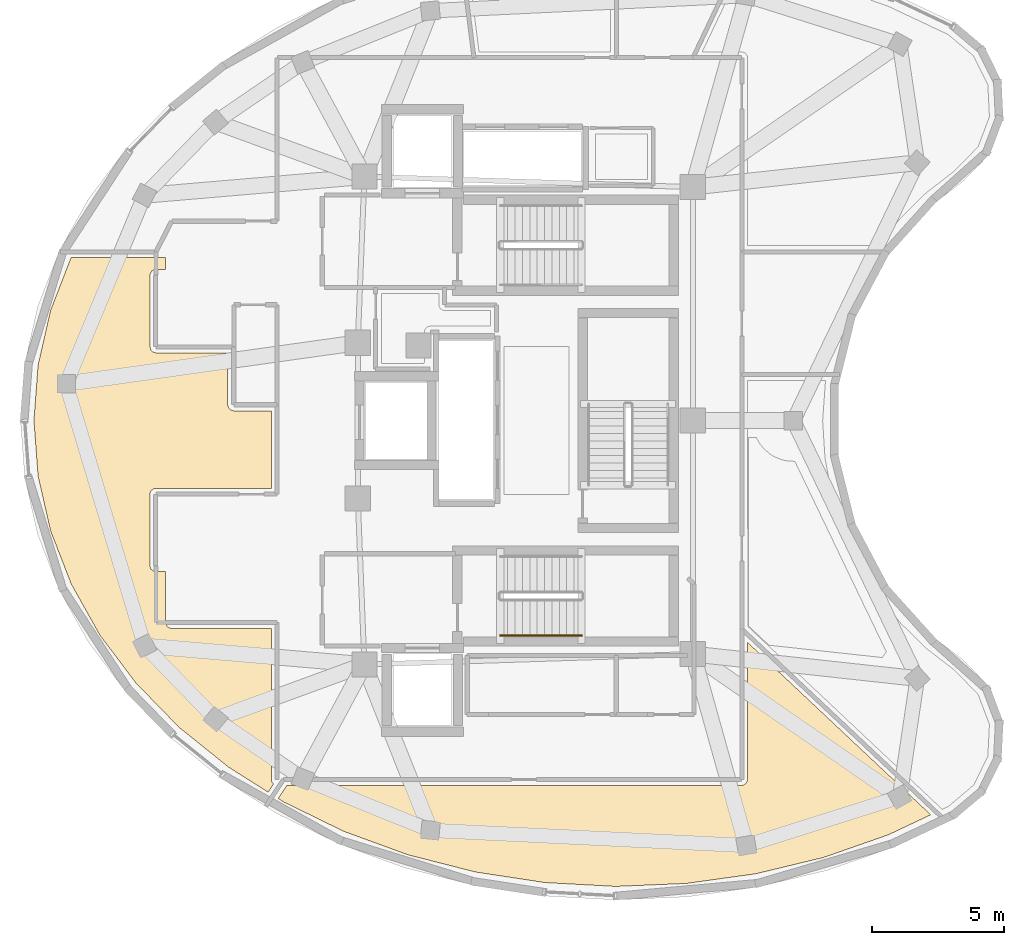
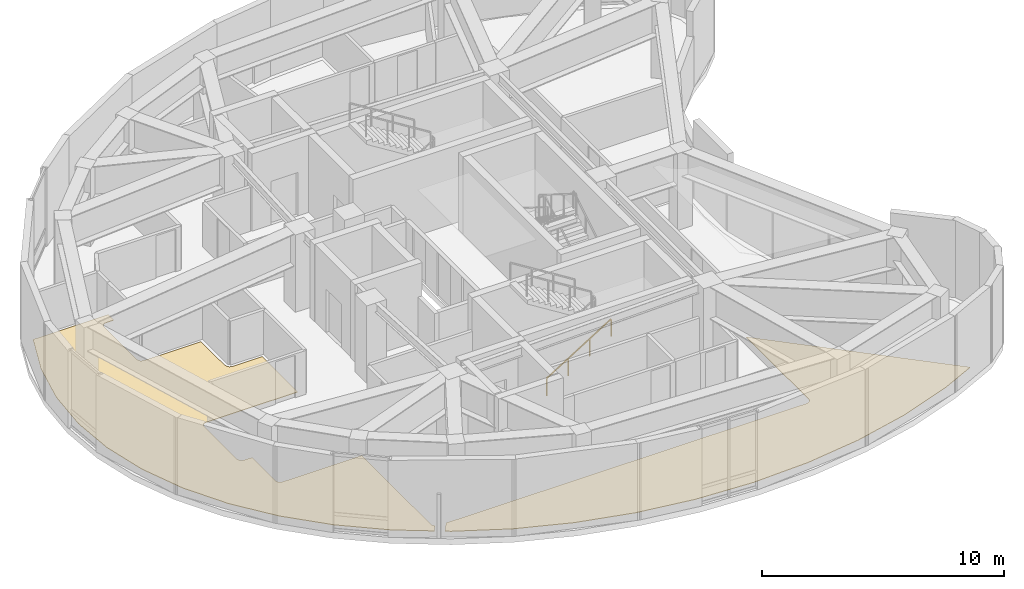
# One storey, part 7 of 8: 2 coverings, 1 railing.
"""IFC4 building model written with IfcOpenShell, lengths in metres."""

from ifc_helpers import new_model, si_unit, direction, frame, origin, origin_2d, place, context, subcontext, project, spatial, polyline, rectangle, outline, extrude, material, layer, layer_set, type_object, element, save


model = new_model("IFC4")

# Units and contexts
model_context = context("Model", 3, precision=1e-05, world=origin(), true_north=direction((0.0, 1.0)))
body_context = subcontext(model_context, "Body", "Model", "MODEL_VIEW")
ifc_project = project(units=[si_unit("LENGTHUNIT", "METRE"), si_unit("AREAUNIT", "SQUARE_METRE"), si_unit("VOLUMEUNIT", "CUBIC_METRE"), si_unit("PLANEANGLEUNIT", "RADIAN"), si_unit("MASSUNIT", "GRAM", prefix="KILO")], contexts=[model_context])

# Site, building, storey
site_placement = place(None, origin())
site = spatial("IfcSite", under=ifc_project, at=site_placement, CompositionType="ELEMENT")
building_placement = place(site_placement, origin())
building = spatial("IfcBuilding", under=site, at=building_placement, Name="Korentha Bioscience Tower", CompositionType="ELEMENT")
storey_placement = place(building_placement, frame((0.0, 0.0, 314.39990234375)))
storey = spatial("IfcBuildingStorey", under=building, at=storey_placement, Name="L72", CompositionType="ELEMENT", Elevation=314.39990234375)

# Railing
ifc_material_1 = material(Name="Stainless Steel 304", Category="steel")
railing_type = type_object("IfcRailingType", Name="Brushed Stainless Stair Handrail 900", PredefinedType="HANDRAIL", material=ifc_material_1)
railing_placement = place(storey_placement, frame((30.25, 18.85009765625, 0.175048828125)))
element("IfcRailing", 1, at=railing_placement, inside=storey, type_object=railing_type, Name="L72 ST-2 stair handrail 1", PredefinedType="HANDRAIL", context=body_context, shape_type="SweptSolid", body=[
    extrude(rectangle(XDim=0.048095703125, YDim=0.048095703125, at=origin_2d()), frame((0.0, 0.0, 0.8759765625), z_axis=(0.847998304005, 0.0, 0.529998940003), x_axis=(0.0, 1.0, 0.0)), (0.0, 0.0, 1.0), 3.632080078125),
    extrude(rectangle(XDim=0.0419921875, YDim=0.0419921875, at=origin_2d()), origin(), (0.0, 0.0, 1.0), 0.851806640625),
    extrude(rectangle(XDim=0.0419921875, YDim=0.0419921875, at=origin_2d()), frame((1.026611328125, 0.0, 0.6416015625)), (0.0, 0.0, 1.0), 0.851806640625),
    extrude(rectangle(XDim=0.0419921875, YDim=0.0419921875, at=origin_2d()), frame((2.053466796875, 0.0, 1.283447265625)), (0.0, 0.0, 1.0), 0.851806640625),
    extrude(rectangle(XDim=0.0419921875, YDim=0.0419921875, at=origin_2d()), frame((3.080078125, 0.0, 1.925048828125)), (0.0, 0.0, 1.0), 0.851806640625),
])

# Coverings
ifc_material_2 = material(Name="Honed Travertine Limestone", Category="masonry")
ifc_layer = layer(ifc_material_2, 0.02490234375, Name="Honed Travertine Limestone")
ifc_layer_set = layer_set([ifc_layer], Name="Honed Travertine Limestone (FL-STN)")
covering_type = type_object("IfcCoveringType", Name="Honed Travertine Lobby Stone Flooring 25", PredefinedType="FLOORING", material=ifc_layer_set)
covering_1_placement = place(storey_placement, origin())
element("IfcCovering", 2, at=covering_1_placement, inside=storey, type_object=covering_type, Name="L72 Staff Pantry Kitchenette 01 Floor Finish", PredefinedType="FLOORING", context=body_context, shape_type="SweptSolid", body=[
    extrude(outline(polyline([(12.572509765625, 27.0), (12.730712890625, 29.103271484375), (13.2041015625, 31.177978515625), (13.979736328125, 33.177978515625), (17.570068359375, 33.177978515625), (17.570068359375, 32.72998046875), (17.123046875, 32.716796875), (17.029296875, 32.654052734375), (16.97265625, 32.5341796875), (16.969970703125, 29.800048828125), (17.014892578125, 29.663330078125), (17.082275390625, 29.6025390625), (17.189208984375, 29.5703125), (19.919921875, 29.570068359375), (19.919921875, 27.60009765625), (19.965576171875, 27.462646484375), (20.0322265625, 27.402587890625), (20.13818359375, 27.370361328125), (21.570068359375, 27.3701171875), (21.570068359375, 24.429931640625), (17.188232421875, 24.4296875), (17.10205078125, 24.408203125), (17.02978515625, 24.354736328125), (16.983642578125, 24.27783203125), (16.969970703125, 24.199951171875), (16.972412109375, 21.466796875), (17.015625, 21.362548828125), (17.123046875, 21.283203125), (17.570068359375, 21.27001953125), (17.5703125, 19.339111328125), (17.58349609375, 19.272216796875), (17.62939453125, 19.19580078125), (17.7021484375, 19.141845703125), (17.800048828125, 19.1201171875), (21.570068359375, 19.1201171875), (21.570068359375, 13.39990234375), (21.59228515625, 13.30126953125), (21.656005859375, 13.220947265625), (21.45263671875, 12.91259765625), (19.947021484375, 13.864013671875), (18.0693359375, 15.376220703125), (16.435546875, 17.05419921875), (15.068603515625, 18.872314453125), (13.98681640625, 20.80419921875), (13.2041015625, 22.82177734375), (12.730712890625, 24.896484375), (12.572509765625, 27.0)])), origin(), (0.0, 0.0, 1.0), 0.025146484375),
])
covering_2_placement = place(storey_placement, origin())
element("IfcCovering", 3, at=covering_2_placement, inside=storey, type_object=covering_type, Name="L72 Biomechanical Motion Analysis Lab 03 Floor Finish", PredefinedType="FLOORING", context=body_context, shape_type="SweptSolid", body=[
    extrude(outline(polyline([(34.622802734375, 9.339111328125), (31.947998046875, 9.484619140625), (29.3134765625, 9.885498046875), (26.759521484375, 10.535400390625), (24.32373046875, 11.425048828125), (22.041748046875, 12.5400390625), (21.833251953125, 12.671875), (22.158203125, 13.16455078125), (39.400146484375, 13.169921875), (39.47705078125, 13.183349609375), (39.58447265625, 13.2626953125), (39.629638671875, 13.38916015625), (39.6298828125, 18.5859375), (46.571533203125, 12.0546875), (44.966064453125, 11.29736328125), (42.512939453125, 10.43798828125), (39.9462890625, 9.819580078125), (37.30419921875, 9.451416015625), (34.622802734375, 9.339111328125)])), origin(), (0.0, 0.0, 1.0), 0.025146484375),
])

save(model, "model.ifc")
